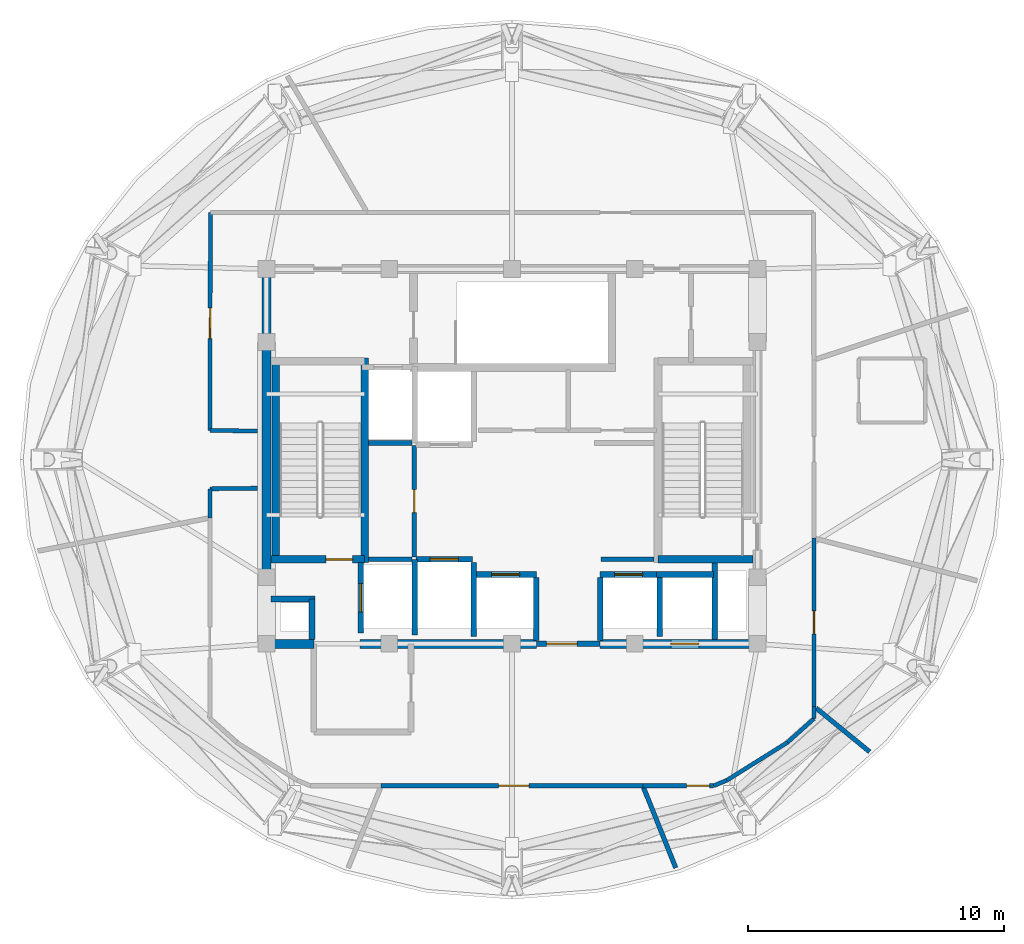
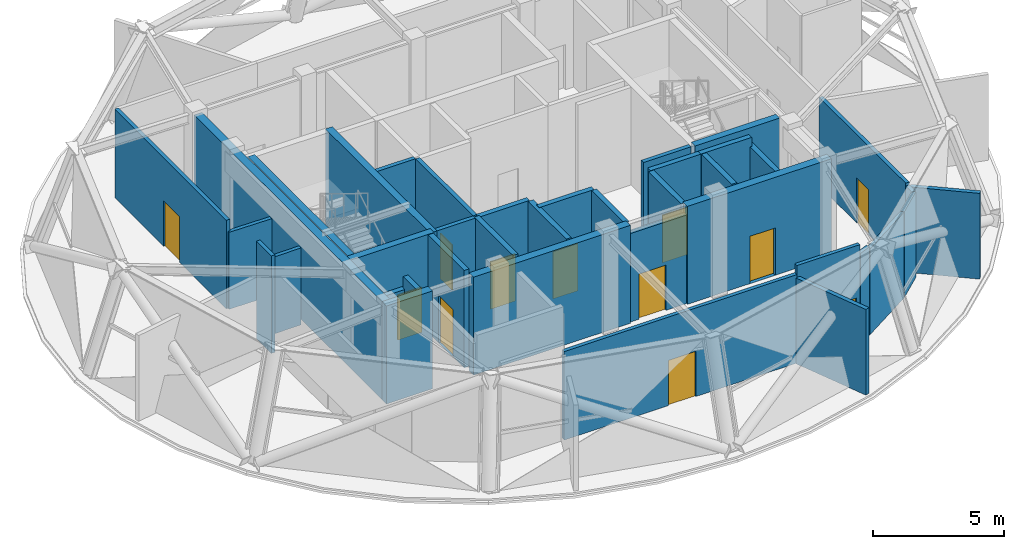
# One storey, part 5 of 11: 39 walls, 12 doors, 12 openings.
"""IFC4 building model written with IfcOpenShell, lengths in metres."""

from ifc_helpers import new_model, si_unit, direction, frame, frame_2d, origin, place, context, subcontext, project, spatial, rectangle, extrude, material, layer, layer_set, type_object, element, fill, save


model = new_model("IFC4")

# Units and contexts
model_context = context("Model", 3, precision=1e-05, world=origin(), true_north=direction((0.0, 1.0)))
body_context = subcontext(model_context, "Body", "Model", "MODEL_VIEW")
ifc_project = project(units=[si_unit("LENGTHUNIT", "METRE"), si_unit("AREAUNIT", "SQUARE_METRE"), si_unit("VOLUMEUNIT", "CUBIC_METRE"), si_unit("PLANEANGLEUNIT", "RADIAN"), si_unit("MASSUNIT", "GRAM", prefix="KILO")], contexts=[model_context])

# Site, building, storey
site_placement = place(None, origin())
site = spatial("IfcSite", under=ifc_project, at=site_placement, CompositionType="ELEMENT")
building_placement = place(site_placement, origin())
building = spatial("IfcBuilding", under=site, at=building_placement, Name="Vantalir Tower", CompositionType="ELEMENT")
storey_placement = place(building_placement, frame((0.0, 0.0, 299.699951171875)))
storey = spatial("IfcBuildingStorey", under=building, at=storey_placement, Name="L75", CompositionType="ELEMENT", Elevation=299.699951171875)

# Walls
ifc_material_1 = material(Name="Concrete C50/60", Category="concrete")
ifc_layer_1 = layer(ifc_material_1, 0.35009765625)
ifc_layer_set_1 = layer_set([ifc_layer_1], Name="Concrete C50/60")
wall_type_1 = type_object("IfcWallType", Name="WL-CORE-350", PredefinedType="SHEAR", material=ifc_layer_set_1)
wall_1_placement = place(storey_placement, frame((21.72509765625, 17.800048828125, 0.0), z_axis=(0.0, 0.0, 1.0), x_axis=(1.0, 0.0, 0.0)))
element("IfcWall", 1, at=wall_1_placement, inside=storey, type_object=wall_type_1, Name="L75 Core Shear Wall South-West", PredefinedType="SHEAR", context=body_context, shape_type="SweptSolid", body=[
    extrude(rectangle(XDim=2.02490234375, YDim=0.35009765625, at=frame_2d((1.012451171875, 0.0))), origin(), (0.0, 0.0, 1.0), 4.550048828125),
])
wall_2_placement = place(storey_placement, frame((25.550048828125, 17.800048828125, 0.0), z_axis=(0.0, 0.0, 1.0), x_axis=(1.0, 0.0, 0.0)))
element("IfcWall", 2, at=wall_2_placement, inside=storey, type_object=wall_type_1, Name="L75 Core Shear Wall South-Mid", PredefinedType="SHEAR", context=body_context, shape_type="SweptSolid", body=[
    extrude(rectangle(XDim=6.89990234375, YDim=0.35009765625, at=frame_2d((3.449951171875, 0.0))), origin(), (0.0, 0.0, 1.0), 4.550048828125),
])

# Wall, opening, door
wall_3_placement = place(storey_placement, frame((34.949951171875, 17.800048828125, 0.0), z_axis=(0.0, 0.0, 1.0), x_axis=(1.0, 0.0, 0.0)))
wall_3 = element("IfcWall", 3, at=wall_3_placement, inside=storey, type_object=wall_type_1, Name="L75 Core Shear Wall South-East", PredefinedType="SHEAR", context=body_context, shape_type="SweptSolid", body=[
    extrude(rectangle(XDim=6.324951171875, YDim=0.35009765625, at=frame_2d((3.16259765625, 0.0))), origin(), (0.0, 0.0, 1.0), 4.550048828125),
])
opening_1_placement = place(wall_3_placement, frame((2.760009765625, 0.0, 0.0)))
opening_1 = element("IfcOpeningElement", 4, at=opening_1_placement, cuts=wall_3, Name="Opening LD-PL-X2", PredefinedType="OPENING", context=body_context, shape_type="SweptSolid", body=[
    extrude(rectangle(XDim=1.10009765625, YDim=2.199951171875, at=frame_2d((0.550048828125, 1.10009765625))), frame((0.0, 0.18505859375, 0.0), z_axis=(0.0, -1.0, 0.0), x_axis=(1.0, 0.0, 0.0)), (0.0, 0.0, 1.0), 0.3701171875),
])
ifc_material_2 = material(Name="Brushed stainless-steel sliding lift landing door", Category="steel")
door_type_1 = type_object("IfcDoorType", Name="DR-LIFT-LANDING-1100", OperationType="DOUBLE_DOOR_SLIDING", PredefinedType="DOOR", material=ifc_material_2)
door_1_placement = place(opening_1_placement, frame((1.10009765625, 0.0, 0.0), z_axis=(0.0, 0.0, 1.0), x_axis=(-1.0, 0.0, 0.0)))
door_1 = element("IfcDoor", 5, at=door_1_placement, inside=storey, type_object=door_type_1, Name="L75 Express Shuttle Lift Landing Door PL-X2", OperationType="DOUBLE_DOOR_SLIDING", OverallHeight=2.199951171875, OverallWidth=1.10009765625, PredefinedType="DOOR", context=body_context, shape_type="SweptSolid", body=[
    extrude(rectangle(XDim=1.10009765625, YDim=2.199951171875, at=frame_2d((0.550048828125, 1.10009765625))), frame((0.0, 0.02490234375, 0.0), z_axis=(0.0, -1.0, 0.0), x_axis=(1.0, 0.0, 0.0)), (0.0, 0.0, 1.0), 0.050048828125),
])
fill(opening_1, door_1)

# Walls
wall_4_placement = place(storey_placement, frame((21.89990234375, 17.97509765625, 0.0), z_axis=(0.0, 0.0, 1.0), x_axis=(0.0, 1.0, 0.0)))
element("IfcWall", 6, at=wall_4_placement, inside=storey, type_object=wall_type_1, Name="L75 Core Shear Wall West", PredefinedType="SHEAR", context=body_context, shape_type="SweptSolid", body=[
    extrude(rectangle(XDim=14.2998046875, YDim=0.35009765625, at=frame_2d((7.14990234375, 0.0))), origin(), (0.0, 0.0, 1.0), 4.550048828125),
])
ifc_material_3 = material(Name="Fire-rated hotel corridor acoustic partition", Category="gypsum")
ifc_layer_2 = layer(ifc_material_3, 0.159912109375)
ifc_layer_set_2 = layer_set([ifc_layer_2], Name="Fire-rated hotel corridor acoustic partition")
wall_type_2 = type_object("IfcWallType", Name="WL-CORR-160", PredefinedType="PARTITIONING", material=ifc_layer_set_2)
wall_5_placement = place(storey_placement, frame((21.544921875, 26.116943359375, 0.0), z_axis=(0.0, 0.0, 1.0), x_axis=(-0.999908513059, 0.0135264745, 0.0)))
element("IfcWall", 7, at=wall_5_placement, inside=storey, type_object=wall_type_2, Name="L75 Corridor Partition 01", PredefinedType="PARTITIONING", context=body_context, shape_type="SweptSolid", body=[
    extrude(rectangle(XDim=1.859130859375, YDim=0.159912109375, at=frame_2d((0.9296875, 0.0))), origin(), (0.0, 0.0, 1.0), 3.574951171875),
])

# Wall, opening, door
wall_6_placement = place(storey_placement, frame((19.68603515625, 26.14208984375, 0.0), z_axis=(0.0, 0.0, 1.0), x_axis=(0.002808172778, 0.999996057075, 0.0)))
wall_6 = element("IfcWall", 8, at=wall_6_placement, inside=storey, type_object=wall_type_2, Name="L75 Corridor Partition 02", PredefinedType="PARTITIONING", context=body_context, shape_type="SweptSolid", body=[
    extrude(rectangle(XDim=8.52001953125, YDim=0.159912109375, at=frame_2d((4.260009765625, 0.0))), origin(), (0.0, 0.0, 1.0), 4.112060546875),
])
opening_2_placement = place(wall_6_placement, frame((3.5859375, 0.0, 0.0)))
opening_2 = element("IfcOpeningElement", 9, at=opening_2_placement, cuts=wall_6, Name="Opening D-STE", PredefinedType="OPENING", context=body_context, shape_type="SweptSolid", body=[
    extrude(rectangle(XDim=1.199951171875, YDim=2.10009765625, at=frame_2d((0.60009765625, 1.050048828125))), frame((0.0, 0.08984375, 0.0), z_axis=(0.0, -1.0, 0.0), x_axis=(1.0, 0.0, 0.0)), (0.0, 0.0, 1.0), 0.179931640625),
])
ifc_material_4 = material(Name="Solid-core teak veneer suite entrance door", Category="wood")
door_type_2 = type_object("IfcDoorType", Name="DR-SUITE-ENTRY-1200", OperationType="NOTDEFINED", PredefinedType="DOOR", material=ifc_material_4)
door_2_placement = place(opening_2_placement, origin())
door_2 = element("IfcDoor", 10, at=door_2_placement, inside=storey, type_object=door_type_2, Name="L75 Horizon Sky Brasserie Door", OperationType="SINGLE_SWING_RIGHT", OverallHeight=2.10009765625, OverallWidth=1.199951171875, PredefinedType="DOOR", context=body_context, shape_type="SweptSolid", body=[
    extrude(rectangle(XDim=1.199951171875, YDim=2.10009765625, at=frame_2d((0.60009765625, 1.050048828125))), frame((0.0, 0.02490234375, 0.0), z_axis=(0.0, -1.0, 0.0), x_axis=(1.0, 0.0, 0.0)), (0.0, 0.0, 1.0), 0.050048828125),
])
fill(opening_2, door_2)

wall_7_placement = place(storey_placement, frame((43.304931640625, 21.927978515625, 0.0), z_axis=(0.0, 0.0, 1.0), x_axis=(0.000779538722, -0.99999969616, 0.0)))
wall_7 = element("IfcWall", 11, at=wall_7_placement, inside=storey, type_object=wall_type_2, Name="L75 Corridor Partition 07", PredefinedType="PARTITIONING", context=body_context, shape_type="SweptSolid", body=[
    extrude(rectangle(XDim=6.576904296875, YDim=0.159912109375, at=frame_2d((3.28857421875, 0.0))), origin(), (0.0, 0.0, 1.0), 4.112060546875),
])
opening_3_placement = place(wall_7_placement, frame((2.839111328125, 0.0, 0.0)))
opening_3 = element("IfcOpeningElement", 12, at=opening_3_placement, cuts=wall_7, Name="Opening D-WC", PredefinedType="OPENING", context=body_context, shape_type="SweptSolid", body=[
    extrude(rectangle(XDim=0.89990234375, YDim=2.10009765625, at=frame_2d((0.449951171875, 1.050048828125))), frame((0.0, 0.08984375, 0.0), z_axis=(0.0, -1.0, 0.0), x_axis=(1.0, 0.0, 0.0)), (0.0, 0.0, 1.0), 0.179931640625),
])
ifc_material_5 = material(Name="Moisture-resistant hardwood door", Category="wood")
door_type_3 = type_object("IfcDoorType", Name="DR-ENSUITE-900", OperationType="NOTDEFINED", PredefinedType="DOOR", material=ifc_material_5)
door_3_placement = place(opening_3_placement, origin())
door_3 = element("IfcDoor", 13, at=door_3_placement, inside=storey, type_object=door_type_3, Name="L75 Public Female WC Door", OperationType="SINGLE_SWING_RIGHT", OverallHeight=2.10009765625, OverallWidth=0.89990234375, PredefinedType="DOOR", context=body_context, shape_type="SweptSolid", body=[
    extrude(rectangle(XDim=0.89990234375, YDim=2.10009765625, at=frame_2d((0.449951171875, 1.050048828125))), frame((0.0, 0.02490234375, 0.0), z_axis=(0.0, -1.0, 0.0), x_axis=(1.0, 0.0, 0.0)), (0.0, 0.0, 1.0), 0.050048828125),
])
fill(opening_3, door_3)

# Walls
wall_8_placement = place(storey_placement, frame((43.31005859375, 15.35107421875, 0.0), z_axis=(0.0, 0.0, 1.0), x_axis=(0.002055494116, -0.99999788747, 0.0)))
element("IfcWall", 14, at=wall_8_placement, inside=storey, type_object=wall_type_2, Name="L75 Corridor Partition 08", PredefinedType="PARTITIONING", context=body_context, shape_type="SweptSolid", body=[
    extrude(rectangle(XDim=0.47509765625, YDim=0.159912109375, at=frame_2d((0.237548828125, 0.0))), origin(), (0.0, 0.0, 1.0), 3.983154296875),
])
wall_9_placement = place(storey_placement, frame((43.31103515625, 14.8759765625, 0.0), z_axis=(0.0, 0.0, 1.0), x_axis=(-0.745044962334, -0.667014245801, 0.0)))
element("IfcWall", 15, at=wall_9_placement, inside=storey, type_object=wall_type_2, Name="L75 Corridor Partition 09", PredefinedType="PARTITIONING", context=body_context, shape_type="SweptSolid", body=[
    extrude(rectangle(XDim=1.398681640625, YDim=0.159912109375, at=frame_2d((0.69921875, 0.0))), origin(), (0.0, 0.0, 1.0), 3.983154296875),
])
wall_10_placement = place(storey_placement, frame((42.26904296875, 13.943115234375, 0.0), z_axis=(0.0, 0.0, 1.0), x_axis=(-0.848052356046, -0.529912446924, 0.0)))
element("IfcWall", 16, at=wall_10_placement, inside=storey, type_object=wall_type_2, Name="L75 Corridor Partition 10", PredefinedType="PARTITIONING", context=body_context, shape_type="SweptSolid", body=[
    extrude(rectangle(XDim=2.791015625, YDim=0.159912109375, at=frame_2d((1.3955078125, 0.0))), origin(), (0.0, 0.0, 1.0), 3.983154296875),
])
wall_11_placement = place(storey_placement, frame((39.902099609375, 12.464111328125, 0.0), z_axis=(0.0, 0.0, 1.0), x_axis=(-0.923413213025, -0.383807292807, 0.0)))
element("IfcWall", 17, at=wall_11_placement, inside=storey, type_object=wall_type_2, Name="L75 Corridor Partition 11", PredefinedType="PARTITIONING", context=body_context, shape_type="SweptSolid", body=[
    extrude(rectangle(XDim=0.557861328125, YDim=0.159912109375, at=frame_2d((0.27880859375, 0.0))), origin(), (0.0, 0.0, 1.0), 4.112060546875),
])

# Wall, opening, door
wall_12_placement = place(storey_placement, frame((39.386962890625, 12.25, 0.0), z_axis=(0.0, 0.0, 1.0), x_axis=(-1.0, 0.0, 0.0)))
wall_12 = element("IfcWall", 18, at=wall_12_placement, inside=storey, type_object=wall_type_2, Name="L75 Corridor Partition 12", PredefinedType="PARTITIONING", context=body_context, shape_type="SweptSolid", body=[
    extrude(rectangle(XDim=2.77294921875, YDim=0.159912109375, at=frame_2d((1.386474609375, 0.0))), origin(), (0.0, 0.0, 1.0), 4.530029296875),
])
opening_4_placement = place(wall_12_placement, frame((0.159912109375, 0.0, 0.0)))
opening_4 = element("IfcOpeningElement", 19, at=opening_4_placement, cuts=wall_12, Name="Opening D-WC", PredefinedType="OPENING", context=body_context, shape_type="SweptSolid", body=[
    extrude(rectangle(XDim=0.89990234375, YDim=2.10009765625, at=frame_2d((0.449951171875, 1.050048828125))), frame((0.0, 0.08984375, 0.0), z_axis=(0.0, -1.0, 0.0), x_axis=(1.0, 0.0, 0.0)), (0.0, 0.0, 1.0), 0.179931640625),
])
door_4_placement = place(opening_4_placement, origin())
door_4 = element("IfcDoor", 20, at=door_4_placement, inside=storey, type_object=door_type_3, Name="L75 Public Male WC Door", OperationType="SINGLE_SWING_LEFT", OverallHeight=2.10009765625, OverallWidth=0.89990234375, PredefinedType="DOOR", context=body_context, shape_type="SweptSolid", body=[
    extrude(rectangle(XDim=0.89990234375, YDim=2.10009765625, at=frame_2d((0.449951171875, 1.050048828125))), frame((0.0, 0.02490234375, 0.0), z_axis=(0.0, -1.0, 0.0), x_axis=(1.0, 0.0, 0.0)), (0.0, 0.0, 1.0), 0.050048828125),
])
fill(opening_4, door_4)

wall_13_placement = place(storey_placement, frame((36.614013671875, 12.25, 0.0), z_axis=(0.0, 0.0, 1.0), x_axis=(-1.0, 0.0, 0.0)))
wall_13 = element("IfcWall", 21, at=wall_13_placement, inside=storey, type_object=wall_type_2, Name="L75 Corridor Partition 13", PredefinedType="PARTITIONING", context=body_context, shape_type="SweptSolid", body=[
    extrude(rectangle(XDim=10.22802734375, YDim=0.159912109375, at=frame_2d((5.114013671875, 0.0))), origin(), (0.0, 0.0, 1.0), 4.112060546875),
])
opening_5_placement = place(wall_13_placement, frame((4.43994140625, 0.0, 0.0)))
opening_5 = element("IfcOpeningElement", 22, at=opening_5_placement, cuts=wall_13, Name="Opening D-STE", PredefinedType="OPENING", context=body_context, shape_type="SweptSolid", body=[
    extrude(rectangle(XDim=1.199951171875, YDim=2.10009765625, at=frame_2d((0.60009765625, 1.050048828125))), frame((0.0, 0.08984375, 0.0), z_axis=(0.0, -1.0, 0.0), x_axis=(1.0, 0.0, 0.0)), (0.0, 0.0, 1.0), 0.179931640625),
])
door_5_placement = place(opening_5_placement, origin())
door_5 = element("IfcDoor", 23, at=door_5_placement, inside=storey, type_object=door_type_2, Name="L75 Sky Horizon Club Lounge Door", OperationType="SINGLE_SWING_RIGHT", OverallHeight=2.10009765625, OverallWidth=1.199951171875, PredefinedType="DOOR", context=body_context, shape_type="SweptSolid", body=[
    extrude(rectangle(XDim=1.199951171875, YDim=2.10009765625, at=frame_2d((0.60009765625, 1.050048828125))), frame((0.0, 0.02490234375, 0.0), z_axis=(0.0, -1.0, 0.0), x_axis=(1.0, 0.0, 0.0)), (0.0, 0.0, 1.0), 0.050048828125),
])
fill(opening_5, door_5)

# Walls
wall_14_placement = place(storey_placement, frame((19.68603515625, 22.720947265625, 0.0), z_axis=(0.0, 0.0, 1.0), x_axis=(0.0, 1.0, 0.0)))
element("IfcWall", 24, at=wall_14_placement, inside=storey, type_object=wall_type_2, Name="L75 Corridor Partition 19", PredefinedType="PARTITIONING", context=body_context, shape_type="SweptSolid", body=[
    extrude(rectangle(XDim=1.136962890625, YDim=0.159912109375, at=frame_2d((0.568359375, 0.0))), origin(), (0.0, 0.0, 1.0), 4.530029296875),
])
wall_15_placement = place(storey_placement, frame((19.68603515625, 23.85791015625, 0.0), z_axis=(0.0, 0.0, 1.0), x_axis=(0.999915479981, 0.013001265106, 0.0)))
element("IfcWall", 25, at=wall_15_placement, inside=storey, type_object=wall_type_2, Name="L75 Corridor Partition 20", PredefinedType="PARTITIONING", context=body_context, shape_type="SweptSolid", body=[
    extrude(rectangle(XDim=1.859130859375, YDim=0.159912109375, at=frame_2d((0.9296875, 0.0))), origin(), (0.0, 0.0, 1.0), 3.574951171875),
])
ifc_material_6 = material(Name="Concrete blockwork with fireboard lining", Category="masonry")
ifc_layer_3 = layer(ifc_material_6, 0.219970703125)
ifc_layer_set_3 = layer_set([ifc_layer_3], Name="Concrete blockwork with fireboard lining")
wall_type_3 = type_object("IfcWallType", Name="WL-FFL-220", PredefinedType="PARTITIONING", material=ifc_layer_set_3)
wall_16_placement = place(storey_placement, frame((30.0, 18.080078125, 0.0), z_axis=(0.0, 0.0, 1.0), x_axis=(0.0, 1.0, 0.0)))
element("IfcWall", 26, at=wall_16_placement, inside=storey, type_object=wall_type_3, Name="L75 Service Lift SV1 East Shaft Wall", PredefinedType="PARTITIONING", context=body_context, shape_type="SweptSolid", body=[
    extrude(rectangle(XDim=2.89990234375, YDim=0.219970703125, at=frame_2d((1.449951171875, 0.0))), origin(), (0.0, 0.0, 1.0), 4.525146484375),
])
for number, where, z_axis, x_axis, name in (
    (27, (32.449951171875, 17.919921875, 0.0), (0.0, 0.0, 1.0), (0.0, 1.0, 0.0), "L75 Shuttle Lift PL-X1 East Shaft Cheek"),
    (28, (34.949951171875, 17.919921875, 0.0), (0.0, 0.0, 1.0), (0.0, 1.0, 0.0), "L75 Shuttle Lift PL-X3 West Shaft Cheek"),
):
    element("IfcWall", number, at=place(storey_placement, frame(where, z_axis=z_axis, x_axis=x_axis)), inside=storey, type_object=wall_type_3, Name=name, PredefinedType="PARTITIONING", context=body_context, shape_type="SweptSolid", body=[
        extrude(rectangle(XDim=2.469970703125, YDim=0.219970703125, at=frame_2d((1.23486328125, 0.0))), origin(), (0.0, 0.0, 1.0), 4.525146484375),
    ])
wall_17_placement = place(storey_placement, frame((37.27490234375, 18.080078125, 0.0), z_axis=(0.0, 0.0, 1.0), x_axis=(0.0, 1.0, 0.0)))
element("IfcWall", 29, at=wall_17_placement, inside=storey, type_object=wall_type_3, Name="L75 Shuttle Lift PL-X2/X3 Shaft Divider", PredefinedType="PARTITIONING", context=body_context, shape_type="SweptSolid", body=[
    extrude(rectangle(XDim=2.309814453125, YDim=0.219970703125, at=frame_2d((1.15478515625, 0.0))), origin(), (0.0, 0.0, 1.0), 4.525146484375),
])

# Wall, opening, door
wall_18_placement = place(storey_placement, frame((32.449951171875, 17.800048828125, 0.0), z_axis=(0.0, 0.0, 1.0), x_axis=(1.0, 0.0, 0.0)))
wall_18 = element("IfcWall", 30, at=wall_18_placement, inside=storey, type_object=wall_type_3, Name="L75 Passenger Lift Lobby South Wall", PredefinedType="PARTITIONING", context=body_context, shape_type="SweptSolid", body=[
    extrude(rectangle(XDim=2.5, YDim=0.219970703125, at=frame_2d((1.25, 0.0))), origin(), (0.0, 0.0, 1.0), 4.112060546875),
])
opening_6_placement = place(wall_18_placement, frame((0.39990234375, 0.0, 0.0)))
opening_6 = element("IfcOpeningElement", 31, at=opening_6_placement, cuts=wall_18, Name="Opening D-STE", PredefinedType="OPENING", context=body_context, shape_type="SweptSolid", body=[
    extrude(rectangle(XDim=1.199951171875, YDim=2.10009765625, at=frame_2d((0.60009765625, 1.050048828125))), frame((0.0, 0.119873046875, 0.0), z_axis=(0.0, -1.0, 0.0), x_axis=(1.0, 0.0, 0.0)), (0.0, 0.0, 1.0), 0.239990234375),
])
door_6_placement = place(opening_6_placement, origin())
door_6 = element("IfcDoor", 32, at=door_6_placement, inside=storey, type_object=door_type_2, Name="L75 Passenger Lift Lobby Concourse Door", OperationType="SINGLE_SWING_RIGHT", OverallHeight=2.10009765625, OverallWidth=1.199951171875, PredefinedType="DOOR", context=body_context, shape_type="SweptSolid", body=[
    extrude(rectangle(XDim=1.199951171875, YDim=2.10009765625, at=frame_2d((0.60009765625, 1.050048828125))), frame((0.0, 0.02490234375, 0.0), z_axis=(0.0, -1.0, 0.0), x_axis=(1.0, 0.0, 0.0)), (0.0, 0.0, 1.0), 0.050048828125),
])
fill(opening_6, door_6)

# Walls
wall_19_placement = place(storey_placement, frame((23.679931640625, 17.97509765625, 0.0), z_axis=(0.0, 0.0, 1.0), x_axis=(0.0, 1.0, 0.0)))
element("IfcWall", 33, at=wall_19_placement, inside=storey, type_object=wall_type_3, Name="L75 West MEP Riser Wall E", PredefinedType="PARTITIONING", context=body_context, shape_type="SweptSolid", body=[
    extrude(rectangle(XDim=1.574951171875, YDim=0.219970703125, at=frame_2d((0.78759765625, 0.0))), origin(), (0.0, 0.0, 1.0), 4.112060546875),
])
wall_20_placement = place(storey_placement, frame((22.074951171875, 19.550048828125, 0.0), z_axis=(0.0, 0.0, 1.0), x_axis=(1.0, 0.0, 0.0)))
element("IfcWall", 34, at=wall_20_placement, inside=storey, type_object=wall_type_3, Name="L75 West MEP Riser Wall N", PredefinedType="PARTITIONING", context=body_context, shape_type="SweptSolid", body=[
    extrude(rectangle(XDim=1.715087890625, YDim=0.219970703125, at=frame_2d((0.857421875, 0.0))), origin(), (0.0, 0.0, 1.0), 3.574951171875),
])
wall_21_placement = place(storey_placement, frame((39.419921875, 17.97509765625, 0.0), z_axis=(0.0, 0.0, 1.0), x_axis=(0.0, 1.0, 0.0)))
element("IfcWall", 35, at=wall_21_placement, inside=storey, type_object=wall_type_3, Name="L75 East MEP Riser Wall W", PredefinedType="PARTITIONING", context=body_context, shape_type="SweptSolid", body=[
    extrude(rectangle(XDim=2.974853515625, YDim=0.219970703125, at=frame_2d((1.4873046875, 0.0))), origin(), (0.0, 0.0, 1.0), 4.112060546875),
])

# Wall, opening, door
wall_22_placement = place(storey_placement, frame((25.590087890625, 18.219970703125, 0.0), z_axis=(0.0, 0.0, 1.0), x_axis=(0.0, 1.0, 0.0)))
wall_22 = element("IfcWall", 36, at=wall_22_placement, inside=storey, type_object=wall_type_3, Name="L75 Lift FL1 Shaft Front Wall", PredefinedType="PARTITIONING", context=body_context, shape_type="SweptSolid", body=[
    extrude(rectangle(XDim=2.760009765625, YDim=0.219970703125, at=frame_2d((1.3798828125, 0.0))), origin(), (0.0, 0.0, 1.0), 4.530029296875),
])
opening_7_placement = place(wall_22_placement, frame((0.830078125, 0.0, 0.0)))
opening_7 = element("IfcOpeningElement", 37, at=opening_7_placement, cuts=wall_22, Name="Opening LD-FL1", PredefinedType="OPENING", context=body_context, shape_type="SweptSolid", body=[
    extrude(rectangle(XDim=1.10009765625, YDim=2.199951171875, at=frame_2d((0.550048828125, 1.10009765625))), frame((0.0, 0.119873046875, 0.0), z_axis=(0.0, -1.0, 0.0), x_axis=(1.0, 0.0, 0.0)), (0.0, 0.0, 1.0), 0.239990234375),
])
door_7_placement = place(opening_7_placement, origin())
door_7 = element("IfcDoor", 38, at=door_7_placement, inside=storey, type_object=door_type_1, Name="L75 Lift Landing Door FL1", OperationType="DOUBLE_DOOR_SLIDING", OverallHeight=2.199951171875, OverallWidth=1.10009765625, PredefinedType="DOOR", context=body_context, shape_type="SweptSolid", body=[
    extrude(rectangle(XDim=1.10009765625, YDim=2.199951171875, at=frame_2d((0.550048828125, 1.10009765625))), frame((0.0, 0.02490234375, 0.0), z_axis=(0.0, -1.0, 0.0), x_axis=(1.0, 0.0, 0.0)), (0.0, 0.0, 1.0), 0.050048828125),
])
fill(opening_7, door_7)

wall_23_placement = place(storey_placement, frame((27.739990234375, 21.110107421875, 0.0), z_axis=(0.0, 0.0, 1.0), x_axis=(1.0, 0.0, 0.0)))
wall_23 = element("IfcWall", 39, at=wall_23_placement, inside=storey, type_object=wall_type_3, Name="L75 Lift SV1 Shaft Front Wall", PredefinedType="PARTITIONING", context=body_context, shape_type="SweptSolid", body=[
    extrude(rectangle(XDim=2.219970703125, YDim=0.219970703125, at=frame_2d((1.10986328125, 0.0))), origin(), (0.0, 0.0, 1.0), 4.530029296875),
])
opening_8_placement = place(wall_23_placement, frame((0.56005859375, 0.0, 0.0)))
opening_8 = element("IfcOpeningElement", 40, at=opening_8_placement, cuts=wall_23, Name="Opening LD-SV1", PredefinedType="OPENING", context=body_context, shape_type="SweptSolid", body=[
    extrude(rectangle(XDim=1.10009765625, YDim=2.199951171875, at=frame_2d((0.550048828125, 1.10009765625))), frame((0.0, 0.119873046875, 0.0), z_axis=(0.0, -1.0, 0.0), x_axis=(1.0, 0.0, 0.0)), (0.0, 0.0, 1.0), 0.239990234375),
])
door_8_placement = place(opening_8_placement, origin())
door_8 = element("IfcDoor", 41, at=door_8_placement, inside=storey, type_object=door_type_1, Name="L75 Lift Landing Door SV1", OperationType="DOUBLE_DOOR_SLIDING", OverallHeight=2.199951171875, OverallWidth=1.10009765625, PredefinedType="DOOR", context=body_context, shape_type="SweptSolid", body=[
    extrude(rectangle(XDim=1.10009765625, YDim=2.199951171875, at=frame_2d((0.550048828125, 1.10009765625))), frame((0.0, 0.02490234375, 0.0), z_axis=(0.0, -1.0, 0.0), x_axis=(1.0, 0.0, 0.0)), (0.0, 0.0, 1.0), 0.050048828125),
])
fill(opening_8, door_8)

wall_24_placement = place(storey_placement, frame((30.0400390625, 20.510009765625, 0.0), z_axis=(0.0, 0.0, 1.0), x_axis=(1.0, 0.0, 0.0)))
wall_24 = element("IfcWall", 42, at=wall_24_placement, inside=storey, type_object=wall_type_3, Name="L75 Lift PL-X1 Shaft Front Wall", PredefinedType="PARTITIONING", context=body_context, shape_type="SweptSolid", body=[
    extrude(rectangle(XDim=2.419921875, YDim=0.219970703125, at=frame_2d((1.2099609375, 0.0))), origin(), (0.0, 0.0, 1.0), 4.530029296875),
])
opening_9_placement = place(wall_24_placement, frame((0.659912109375, 0.0, 0.0)))
opening_9 = element("IfcOpeningElement", 43, at=opening_9_placement, cuts=wall_24, Name="Opening LD-PL-X1", PredefinedType="OPENING", context=body_context, shape_type="SweptSolid", body=[
    extrude(rectangle(XDim=1.10009765625, YDim=2.199951171875, at=frame_2d((0.550048828125, 1.10009765625))), frame((0.0, 0.119873046875, 0.0), z_axis=(0.0, -1.0, 0.0), x_axis=(1.0, 0.0, 0.0)), (0.0, 0.0, 1.0), 0.239990234375),
])
door_9_placement = place(opening_9_placement, origin())
door_9 = element("IfcDoor", 44, at=door_9_placement, inside=storey, type_object=door_type_1, Name="L75 Lift Landing Door PL-X1", OperationType="DOUBLE_DOOR_SLIDING", OverallHeight=2.199951171875, OverallWidth=1.10009765625, PredefinedType="DOOR", context=body_context, shape_type="SweptSolid", body=[
    extrude(rectangle(XDim=1.10009765625, YDim=2.199951171875, at=frame_2d((0.550048828125, 1.10009765625))), frame((0.0, 0.02490234375, 0.0), z_axis=(0.0, -1.0, 0.0), x_axis=(1.0, 0.0, 0.0)), (0.0, 0.0, 1.0), 0.050048828125),
])
fill(opening_9, door_9)

# Wall
wall_25_placement = place(storey_placement, frame((37.139892578125, 20.510009765625, 0.0), z_axis=(0.0, 0.0, 1.0), x_axis=(1.0, 0.0, 0.0)))
element("IfcWall", 45, at=wall_25_placement, inside=storey, type_object=wall_type_3, Name="L75 Lift PL-X2 Shaft Rear Wall", PredefinedType="PARTITIONING", context=body_context, shape_type="SweptSolid", body=[
    extrude(rectangle(XDim=2.239990234375, YDim=0.219970703125, at=frame_2d((1.1201171875, 0.0))), origin(), (0.0, 0.0, 1.0), 4.530029296875),
])

# Wall, opening, door
wall_26_placement = place(storey_placement, frame((34.93994140625, 20.510009765625, 0.0), z_axis=(0.0, 0.0, 1.0), x_axis=(1.0, 0.0, 0.0)))
wall_26 = element("IfcWall", 46, at=wall_26_placement, inside=storey, type_object=wall_type_3, Name="L75 Lift PL-X3 Shaft Front Wall", PredefinedType="PARTITIONING", context=body_context, shape_type="SweptSolid", body=[
    extrude(rectangle(XDim=2.239990234375, YDim=0.219970703125, at=frame_2d((1.1201171875, 0.0))), origin(), (0.0, 0.0, 1.0), 4.530029296875),
])
opening_10_placement = place(wall_26_placement, frame((0.570068359375, 0.0, 0.0)))
opening_10 = element("IfcOpeningElement", 47, at=opening_10_placement, cuts=wall_26, Name="Opening LD-PL-X3", PredefinedType="OPENING", context=body_context, shape_type="SweptSolid", body=[
    extrude(rectangle(XDim=1.10009765625, YDim=2.199951171875, at=frame_2d((0.550048828125, 1.10009765625))), frame((0.0, 0.119873046875, 0.0), z_axis=(0.0, -1.0, 0.0), x_axis=(1.0, 0.0, 0.0)), (0.0, 0.0, 1.0), 0.239990234375),
])
door_10_placement = place(opening_10_placement, origin())
door_10 = element("IfcDoor", 48, at=door_10_placement, inside=storey, type_object=door_type_1, Name="L75 Lift Landing Door PL-X3", OperationType="DOUBLE_DOOR_SLIDING", OverallHeight=2.199951171875, OverallWidth=1.10009765625, PredefinedType="DOOR", context=body_context, shape_type="SweptSolid", body=[
    extrude(rectangle(XDim=1.10009765625, YDim=2.199951171875, at=frame_2d((0.550048828125, 1.10009765625))), frame((0.0, 0.02490234375, 0.0), z_axis=(0.0, -1.0, 0.0), x_axis=(1.0, 0.0, 0.0)), (0.0, 0.0, 1.0), 0.050048828125),
])
fill(opening_10, door_10)

# Walls
wall_27_placement = place(storey_placement, frame((27.699951171875, 18.14990234375, 0.0), z_axis=(0.0, 0.0, 1.0), x_axis=(0.0, 1.0, 0.0)))
element("IfcWall", 49, at=wall_27_placement, inside=storey, type_object=wall_type_3, Name="L75 Fire Lift FL1 Dividing Wall", PredefinedType="PARTITIONING", context=body_context, shape_type="SweptSolid", body=[
    extrude(rectangle(XDim=2.9501953125, YDim=0.219970703125, at=frame_2d((1.47509765625, 0.0))), origin(), (0.0, 0.0, 1.0), 4.530029296875),
])
ifc_material_7 = material(Name="Twin-stud acoustic fire-rated gypsum partition", Category="gypsum")
ifc_layer_4 = layer(ifc_material_7, 0.179931640625)
ifc_layer_set_4 = layer_set([ifc_layer_4], Name="Twin-stud acoustic fire-rated gypsum partition")
wall_type_4 = type_object("IfcWallType", Name="WL-GUEST-180", PredefinedType="PARTITIONING", material=ifc_layer_set_4)
for number, where, z_axis, x_axis, name in (
    (50, (25.889892578125, 21.10009765625, 0.0), (0.0, 0.0, 1.0), (1.0, 0.0, 0.0), "L75 Freed West Core South Wall"),
    (51, (25.889892578125, 25.64990234375, 0.0), (0.0, 0.0, 1.0), (1.0, 0.0, 0.0), "L75 Freed West Core North Wall"),
):
    element("IfcWall", number, at=place(storey_placement, frame(where, z_axis=z_axis, x_axis=x_axis)), inside=storey, type_object=wall_type_4, Name=name, PredefinedType="PARTITIONING", context=body_context, shape_type="SweptSolid", body=[
        extrude(rectangle(XDim=1.7001953125, YDim=0.179931640625, at=frame_2d((0.85009765625, 0.0))), origin(), (0.0, 0.0, 1.0), 4.530029296875),
    ])

# Wall, opening, door
wall_28_placement = place(storey_placement, frame((27.679931640625, 21.18994140625, 0.0), z_axis=(0.0, 0.0, 1.0), x_axis=(0.0, 1.0, 0.0)))
wall_28 = element("IfcWall", 52, at=wall_28_placement, inside=storey, type_object=wall_type_4, Name="L75 West Pantry East Wall", PredefinedType="PARTITIONING", context=body_context, shape_type="SweptSolid", body=[
    extrude(rectangle(XDim=4.3701171875, YDim=0.179931640625, at=frame_2d((2.18505859375, 0.0))), origin(), (0.0, 0.0, 1.0), 4.530029296875),
])
opening_11_placement = place(wall_28_placement, frame((1.735107421875, 0.0, 0.0)))
opening_11 = element("IfcOpeningElement", 53, at=opening_11_placement, cuts=wall_28, Name="Opening D-CR", PredefinedType="OPENING", context=body_context, shape_type="SweptSolid", body=[
    extrude(rectangle(XDim=0.89990234375, YDim=2.10009765625, at=frame_2d((0.449951171875, 1.050048828125))), frame((0.0, 0.099853515625, 0.0), z_axis=(0.0, -1.0, 0.0), x_axis=(1.0, 0.0, 0.0)), (0.0, 0.0, 1.0), 0.199951171875),
])
ifc_material_8 = material(Name="Fire-rated steel core service door", Category="steel")
door_type_4 = type_object("IfcDoorType", Name="DR-CORE-SERV-900", OperationType="NOTDEFINED", PredefinedType="DOOR", material=ifc_material_8)
door_11_placement = place(opening_11_placement, origin())
door_11 = element("IfcDoor", 54, at=door_11_placement, inside=storey, type_object=door_type_4, Name="L75 Core Pantry Door", OperationType="SINGLE_SWING_LEFT", OverallHeight=2.10009765625, OverallWidth=0.89990234375, PredefinedType="DOOR", context=body_context, shape_type="SweptSolid", body=[
    extrude(rectangle(XDim=0.89990234375, YDim=2.10009765625, at=frame_2d((0.449951171875, 1.050048828125))), frame((0.0, 0.02490234375, 0.0), z_axis=(0.0, -1.0, 0.0), x_axis=(1.0, 0.0, 0.0)), (0.0, 0.0, 1.0), 0.050048828125),
])
fill(opening_11, door_11)

# Walls
wall_29_placement = place(storey_placement, frame((34.97998046875, 21.10009765625, 0.0), z_axis=(0.0, 0.0, 1.0), x_axis=(1.0, 0.0, 0.0)))
element("IfcWall", 55, at=wall_29_placement, inside=storey, type_object=wall_type_4, Name="L75 Freed East Core South Wall", PredefinedType="PARTITIONING", context=body_context, shape_type="SweptSolid", body=[
    extrude(rectangle(XDim=2.080078125, YDim=0.179931640625, at=frame_2d((1.0400390625, 0.0))), origin(), (0.0, 0.0, 1.0), 4.530029296875),
])
wall_30_placement = place(storey_placement, frame((36.64404296875, 12.175048828125, 0.0), z_axis=(0.0, 0.0, 1.0), x_axis=(0.372473826154, -0.928042697741, 0.0)))
element("IfcWall", 56, at=wall_30_placement, inside=storey, type_object=wall_type_4, Name="L75 Radial Suite Partition 05", PredefinedType="PARTITIONING", context=body_context, shape_type="SweptSolid", body=[
    extrude(rectangle(XDim=3.380126953125, YDim=0.179931640625, at=frame_2d((1.68994140625, 0.0))), origin(), (0.0, 0.0, 1.0), 3.983154296875),
])
wall_31_placement = place(storey_placement, frame((43.389892578125, 15.285888671875, 0.0), z_axis=(0.0, 0.0, 1.0), x_axis=(0.774553550987, -0.632508337221, 0.0)))
element("IfcWall", 57, at=wall_31_placement, inside=storey, type_object=wall_type_4, Name="L75 Radial Suite Partition 06", PredefinedType="PARTITIONING", context=body_context, shape_type="SweptSolid", body=[
    extrude(rectangle(XDim=2.698486328125, YDim=0.179931640625, at=frame_2d((1.34912109375, 0.0))), origin(), (0.0, 0.0, 1.0), 3.983154296875),
])

# Wall, opening, door
ifc_layer_5 = layer(ifc_material_1, 0.300048828125)
ifc_layer_set_5 = layer_set([ifc_layer_5], Name="Concrete C50/60")
wall_type_5 = type_object("IfcWallType", Name="WL-STAIR-300", PredefinedType="SHEAR", material=ifc_layer_set_5)
wall_32_placement = place(storey_placement, frame((22.074951171875, 21.10009765625, 0.0), z_axis=(0.0, 0.0, 1.0), x_axis=(1.0, 0.0, 0.0)))
wall_32 = element("IfcWall", 58, at=wall_32_placement, inside=storey, type_object=wall_type_5, Name="L75 Stair ST1 South Wall", PredefinedType="SHEAR", context=body_context, shape_type="SweptSolid", body=[
    extrude(rectangle(XDim=3.6650390625, YDim=0.300048828125, at=frame_2d((1.83251953125, 0.0))), origin(), (0.0, 0.0, 1.0), 4.550048828125),
])
opening_12_placement = place(wall_32_placement, frame((2.14501953125, 0.0, 0.0)))
opening_12 = element("IfcOpeningElement", 59, at=opening_12_placement, cuts=wall_32, Name="Opening D-ST", PredefinedType="OPENING", context=body_context, shape_type="SweptSolid", body=[
    extrude(rectangle(XDim=1.050048828125, YDim=2.10009765625, at=frame_2d((0.52490234375, 1.050048828125))), frame((0.0, 0.159912109375, 0.0), z_axis=(0.0, -1.0, 0.0), x_axis=(1.0, 0.0, 0.0)), (0.0, 0.0, 1.0), 0.320068359375),
])
ifc_material_9 = material(Name="Fire-rated steel door leaf", Category="steel")
door_type_5 = type_object("IfcDoorType", Name="DR-FIRE-STAIR-1050", OperationType="NOTDEFINED", PredefinedType="DOOR", material=ifc_material_9)
door_12_placement = place(opening_12_placement, origin())
door_12 = element("IfcDoor", 60, at=door_12_placement, inside=storey, type_object=door_type_5, Name="L75 Exit Stair ST1 Fire Door", OperationType="SINGLE_SWING_RIGHT", OverallHeight=2.10009765625, OverallWidth=1.050048828125, PredefinedType="DOOR", context=body_context, shape_type="SweptSolid", body=[
    extrude(rectangle(XDim=1.050048828125, YDim=2.10009765625, at=frame_2d((0.52490234375, 1.050048828125))), frame((0.0, 0.02490234375, 0.0), z_axis=(0.0, -1.0, 0.0), x_axis=(1.0, 0.0, 0.0)), (0.0, 0.0, 1.0), 0.050048828125),
])
fill(opening_12, door_12)

# Walls
wall_33_placement = place(storey_placement, frame((25.739990234375, 20.97998046875, 0.0), z_axis=(0.0, 0.0, 1.0), x_axis=(0.0, 1.0, 0.0)))
element("IfcWall", 61, at=wall_33_placement, inside=storey, type_object=wall_type_5, Name="L75 Stair ST1 East Wall", PredefinedType="SHEAR", context=body_context, shape_type="SweptSolid", body=[
    extrude(rectangle(XDim=7.989990234375, YDim=0.300048828125, at=frame_2d((3.9951171875, 0.0))), origin(), (0.0, 0.0, 1.0), 4.550048828125),
])
wall_34_placement = place(storey_placement, frame((22.260009765625, 21.10009765625, 0.0), z_axis=(0.0, 0.0, 1.0), x_axis=(0.0, 1.0, 0.0)))
element("IfcWall", 62, at=wall_34_placement, inside=storey, type_object=wall_type_5, Name="L75 Stair ST1 West Liner Wall", PredefinedType="SHEAR", context=body_context, shape_type="SweptSolid", body=[
    extrude(rectangle(XDim=7.75, YDim=0.300048828125, at=frame_2d((3.875, 0.0))), origin(), (0.0, 0.0, 1.0), 4.550048828125),
])
wall_35_placement = place(storey_placement, frame((37.2099609375, 21.10009765625, 0.0), z_axis=(0.0, 0.0, 1.0), x_axis=(1.0, 0.0, 0.0)))
element("IfcWall", 63, at=wall_35_placement, inside=storey, type_object=wall_type_5, Name="L75 Stair ST2 South Wall", PredefinedType="SHEAR", context=body_context, shape_type="SweptSolid", body=[
    extrude(rectangle(XDim=3.715087890625, YDim=0.300048828125, at=frame_2d((1.857421875, 0.0))), origin(), (0.0, 0.0, 1.0), 4.550048828125),
])

save(model, "model.ifc")
